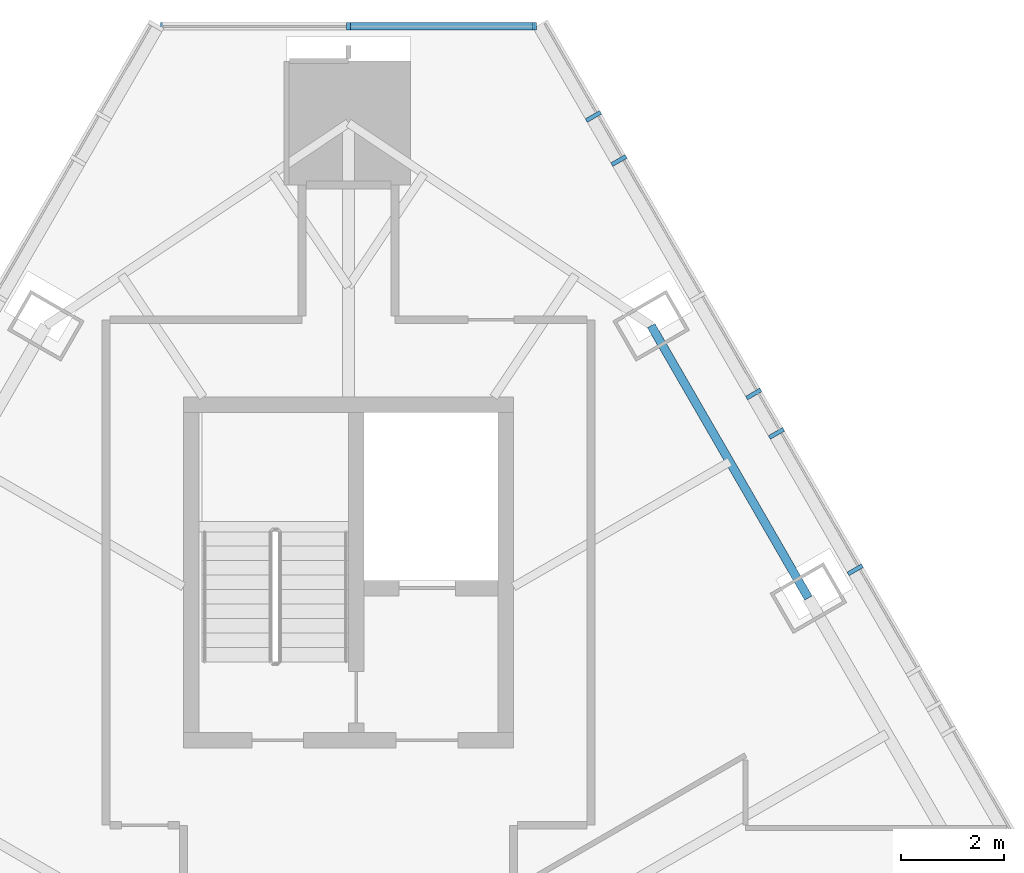
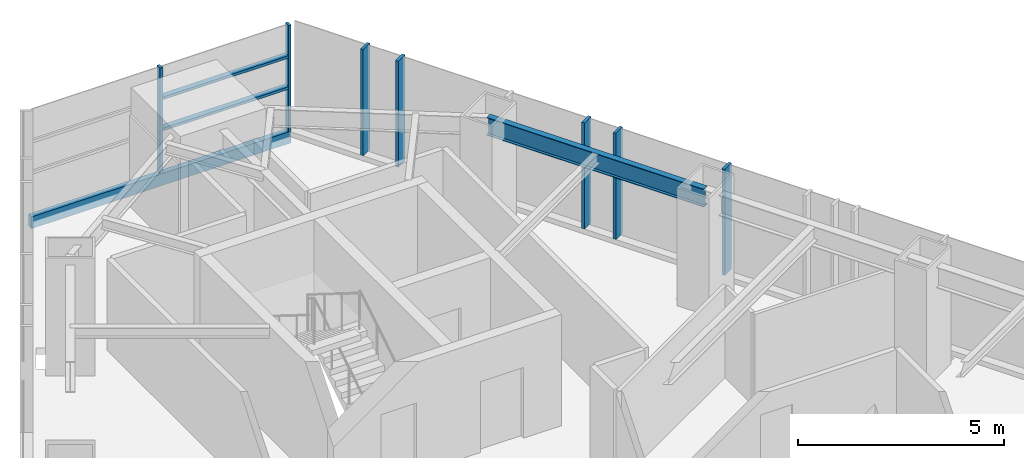
# One storey, part 7 of 18: 10 members, 1 beam, 2 elements without a shape of their own.
"""IFC4 building model written with IfcOpenShell, lengths in metres."""

from ifc_helpers import new_model, si_unit, direction, frame, origin, origin_2d, place, context, subcontext, project, spatial, rectangle, i_section, extrude, material, layer, layer_set, material_profile, profile_set, type_object, element, aggregate, save


model = new_model("IFC4")

# Units and contexts
model_context = context("Model", 3, precision=1e-05, world=origin(), true_north=direction((0.0, 1.0)))
body_context = subcontext(model_context, "Body", "Model", "MODEL_VIEW")
ifc_project = project(units=[si_unit("LENGTHUNIT", "METRE"), si_unit("AREAUNIT", "SQUARE_METRE"), si_unit("VOLUMEUNIT", "CUBIC_METRE"), si_unit("PLANEANGLEUNIT", "RADIAN"), si_unit("MASSUNIT", "GRAM", prefix="KILO")], contexts=[model_context])

# Site, building, storey
site_placement = place(None, origin())
site = spatial("IfcSite", under=ifc_project, at=site_placement, CompositionType="ELEMENT")
building_placement = place(site_placement, origin())
building = spatial("IfcBuilding", under=site, at=building_placement, Name="Firuza Gate Tower and Library", CompositionType="ELEMENT")
storey_placement = place(building_placement, frame((0.0, 0.0, 298.60009765625)))
storey = spatial("IfcBuildingStorey", under=building, at=storey_placement, Name="L72", CompositionType="ELEMENT", Elevation=298.60009765625)

# Curtain wall, members
ifc_material_1 = material(Name="Aluminium 6063-T6", Category="aluminium")
ifc_layer_1 = layer(ifc_material_1, 0.14990234375)
ifc_layer_set_1 = layer_set([ifc_layer_1], Name="Corner curtain wall, chamfers")
curtain_wall_type_1 = type_object("IfcCurtainWallType", Name="Corner curtain wall, chamfers", PredefinedType="NOTDEFINED", material=ifc_layer_set_1)
placement = place(storey_placement, origin())
curtain_wall_1 = element("IfcCurtainWall", 1, at=placement, inside=storey, type_object=curtain_wall_type_1, Name="CW4 L72 N corner", PredefinedType="NOTDEFINED")
ifc_material_2 = material(Name="Aluminium 6063-T6", Category="aluminium")
ifc_material_profile_1 = material_profile(ifc_material_2, rectangle(XDim=0.14990234375, YDim=0.080078125, at=origin_2d()))
ifc_profile_set_1 = profile_set([ifc_material_profile_1], Name="Aluminium 6063-T6")
member_type_1 = type_object("IfcMemberType", Name="Curtain wall mullion 80x150", PredefinedType="MULLION", material=ifc_profile_set_1)
member_1_placement = place(storey_placement, frame((78.603271484375, 101.7900390625, 0.14990234375), z_axis=(0.0, 0.0, 1.0), x_axis=(0.0, -1.0, 0.0)))
member_1 = element("IfcMember", 2, at=member_1_placement, type_object=member_type_1, Name="Mullion", PredefinedType="MULLION", context=body_context, shape_type="SweptSolid", body=[
    extrude(rectangle(XDim=0.14990234375, YDim=0.080078125, at=origin_2d()), origin(), (0.0, 0.0, 1.0), 3.14990234375),
])
member_2_placement = place(storey_placement, frame((75.0, 101.7900390625, 0.14990234375), z_axis=(0.0, 0.0, 1.0), x_axis=(0.0, -1.0, 0.0)))
member_2 = element("IfcMember", 3, at=member_2_placement, type_object=member_type_1, Name="Mullion", PredefinedType="MULLION", context=body_context, shape_type="SweptSolid", body=[
    extrude(rectangle(XDim=0.14990234375, YDim=0.080078125, at=origin_2d()), origin(), (0.0, 0.0, 1.0), 3.14990234375),
])

ifc_material_3 = material(Name="Aluminium 6063-T6", Category="aluminium")
ifc_layer_2 = layer(ifc_material_3, 0.14990234375)
ifc_layer_set_2 = layer_set([ifc_layer_2], Name="Unitised curtain wall, residences")
curtain_wall_type_2 = type_object("IfcCurtainWallType", Name="Unitised curtain wall, residences", PredefinedType="NOTDEFINED", material=ifc_layer_set_2)
curtain_wall_2 = element("IfcCurtainWall", 4, at=placement, inside=storey, type_object=curtain_wall_type_2, Name="CW3 L72 E face", PredefinedType="NOTDEFINED")
ifc_material_4 = material(Name="Aluminium 6063-T6", Category="aluminium")
ifc_material_profile_2 = material_profile(ifc_material_4, rectangle(XDim=0.320068359375, YDim=0.080078125, at=origin_2d()))
ifc_profile_set_2 = profile_set([ifc_material_profile_2], Name="Aluminium 6063-T6")
member_type_2 = type_object("IfcMemberType", Name="Curtain wall mullion 80x320", PredefinedType="MULLION", material=ifc_profile_set_2)
member_3_placement = place(storey_placement, frame((84.8251953125, 91.252685546875, 0.14990234375), z_axis=(0.0, 0.0, 1.0), x_axis=(-0.866025403784, -0.5, 0.0)))
member_3 = element("IfcMember", 5, at=member_3_placement, type_object=member_type_2, Name="Mullion", PredefinedType="MULLION", context=body_context, shape_type="SweptSolid", body=[
    extrude(rectangle(XDim=0.320068359375, YDim=0.080078125, at=origin_2d()), origin(), (0.0, 0.0, 1.0), 3.14990234375),
])
member_4_placement = place(storey_placement, frame((83.298095703125, 93.897705078125, 0.14990234375), z_axis=(0.0, 0.0, 1.0), x_axis=(-0.866025403784, -0.5, 0.0)))
member_4 = element("IfcMember", 6, at=member_4_placement, type_object=member_type_2, Name="Mullion", PredefinedType="MULLION", context=body_context, shape_type="SweptSolid", body=[
    extrude(rectangle(XDim=0.320068359375, YDim=0.080078125, at=origin_2d()), origin(), (0.0, 0.0, 1.0), 3.14990234375),
])
member_5_placement = place(storey_placement, frame((80.243896484375, 99.187744140625, 0.14990234375), z_axis=(0.0, 0.0, 1.0), x_axis=(-0.866025403784, -0.5, 0.0)))
member_5 = element("IfcMember", 7, at=member_5_placement, type_object=member_type_2, Name="Mullion", PredefinedType="MULLION", context=body_context, shape_type="SweptSolid", body=[
    extrude(rectangle(XDim=0.320068359375, YDim=0.080078125, at=origin_2d()), origin(), (0.0, 0.0, 1.0), 3.14990234375),
])
member_6_placement = place(storey_placement, frame((82.85693359375, 94.661865234375, 0.14990234375), z_axis=(0.0, 0.0, 1.0), x_axis=(-0.866025403784, -0.5, 0.0)))
member_6 = element("IfcMember", 8, at=member_6_placement, type_object=member_type_2, Name="Mullion", PredefinedType="MULLION", context=body_context, shape_type="SweptSolid", body=[
    extrude(rectangle(XDim=0.320068359375, YDim=0.080078125, at=origin_2d()), origin(), (0.0, 0.0, 1.0), 3.14990234375),
])
member_7_placement = place(storey_placement, frame((79.750244140625, 100.04296875, 0.14990234375), z_axis=(0.0, 0.0, 1.0), x_axis=(-0.866025403784, -0.5, 0.0)))
member_7 = element("IfcMember", 9, at=member_7_placement, type_object=member_type_2, Name="Mullion", PredefinedType="MULLION", context=body_context, shape_type="SweptSolid", body=[
    extrude(rectangle(XDim=0.320068359375, YDim=0.080078125, at=origin_2d()), origin(), (0.0, 0.0, 1.0), 3.14990234375),
])
aggregate(curtain_wall_2, [member_3, member_4, member_5, member_6, member_7])

# Member
ifc_material_5 = material(Name="Aluminium 6063-T6", Category="aluminium")
ifc_material_profile_3 = material_profile(ifc_material_5, rectangle(XDim=0.14990234375, YDim=0.35009765625, at=origin_2d()))
ifc_profile_set_3 = profile_set([ifc_material_profile_3], Name="Aluminium 6063-T6")
member_type_3 = type_object("IfcMemberType", Name="Curtain wall transom 350x150", PredefinedType="USERDEFINED", material=ifc_profile_set_3)
member_8_placement = place(storey_placement, frame((78.643310546875, 101.7900390625, -0.025146484375), z_axis=(-1.0, 0.0, 0.0), x_axis=(0.0, -1.0, 0.0)))
member_8 = element("IfcMember", 10, at=member_8_placement, type_object=member_type_3, Name="Transom", ObjectType="TRANSOM", PredefinedType="USERDEFINED", context=body_context, shape_type="SweptSolid", body=[
    extrude(rectangle(XDim=0.14990234375, YDim=0.35009765625, at=origin_2d()), origin(), (0.0, 0.0, 1.0), 7.28662109375),
])

ifc_material_6 = material(Name="Aluminium 6063-T6", Category="aluminium")
ifc_material_profile_4 = material_profile(ifc_material_6, rectangle(XDim=0.14990234375, YDim=0.080078125, at=origin_2d()))
ifc_profile_set_4 = profile_set([ifc_material_profile_4], Name="Aluminium 6063-T6")
member_type_4 = type_object("IfcMemberType", Name="Curtain wall transom 80x150", PredefinedType="USERDEFINED", material=ifc_profile_set_4)
member_9_placement = place(storey_placement, frame((78.603271484375, 101.7900390625, 1.449951171875), z_axis=(-1.0, 0.0, 0.0), x_axis=(0.0, -1.0, 0.0)))
member_9 = element("IfcMember", 11, at=member_9_placement, type_object=member_type_4, Name="Transom", ObjectType="TRANSOM", PredefinedType="USERDEFINED", context=body_context, shape_type="SweptSolid", body=[
    extrude(rectangle(XDim=0.14990234375, YDim=0.080078125, at=origin_2d()), origin(), (0.0, 0.0, 1.0), 3.563232421875),
])

member_10_placement = place(storey_placement, frame((78.603271484375, 101.7900390625, 2.375), z_axis=(-1.0, 0.0, 0.0), x_axis=(0.0, -1.0, 0.0)))
member_10 = element("IfcMember", 12, at=member_10_placement, type_object=member_type_4, Name="Transom", ObjectType="TRANSOM", PredefinedType="USERDEFINED", context=body_context, shape_type="SweptSolid", body=[
    extrude(rectangle(XDim=0.14990234375, YDim=0.080078125, at=origin_2d()), origin(), (0.0, 0.0, 1.0), 3.563232421875),
])

aggregate(curtain_wall_1, [member_1, member_2, member_8, member_9, member_10])

# Beam
ifc_material_7 = material(Name="Steel S355", Category="steel")
ifc_material_profile_5 = material_profile(ifc_material_7, i_section(OverallWidth=0.166015625, OverallDepth=0.534912109375, WebThickness=0.01025390625, FlangeThickness=0.0166015625, at=origin_2d()))
ifc_profile_set_5 = profile_set([ifc_material_profile_5], Name="Steel S355")
beam_type = type_object("IfcBeamType", Name="W530x85 Edge beam", PredefinedType="SPANDREL", material=ifc_profile_set_5)
beam_placement = place(storey_placement, frame((83.91650390625, 90.70654296875, 3.032470703125), z_axis=(-0.49998131003, 0.866036194175, 0.0), x_axis=(-0.866036194175, -0.49998131003, 0.0)))
element("IfcBeam", 13, at=beam_placement, inside=storey, type_object=beam_type, Name="Edge beam L72 e54", PredefinedType="SPANDREL", context=body_context, shape_type="SweptSolid", body=[
    extrude(i_section(OverallWidth=0.166015625, OverallDepth=0.534912109375, WebThickness=0.01025390625, FlangeThickness=0.0166015625, at=origin_2d()), origin(), (0.0, 0.0, 1.0), 6.095947265625),
])

save(model, "model.ifc")
